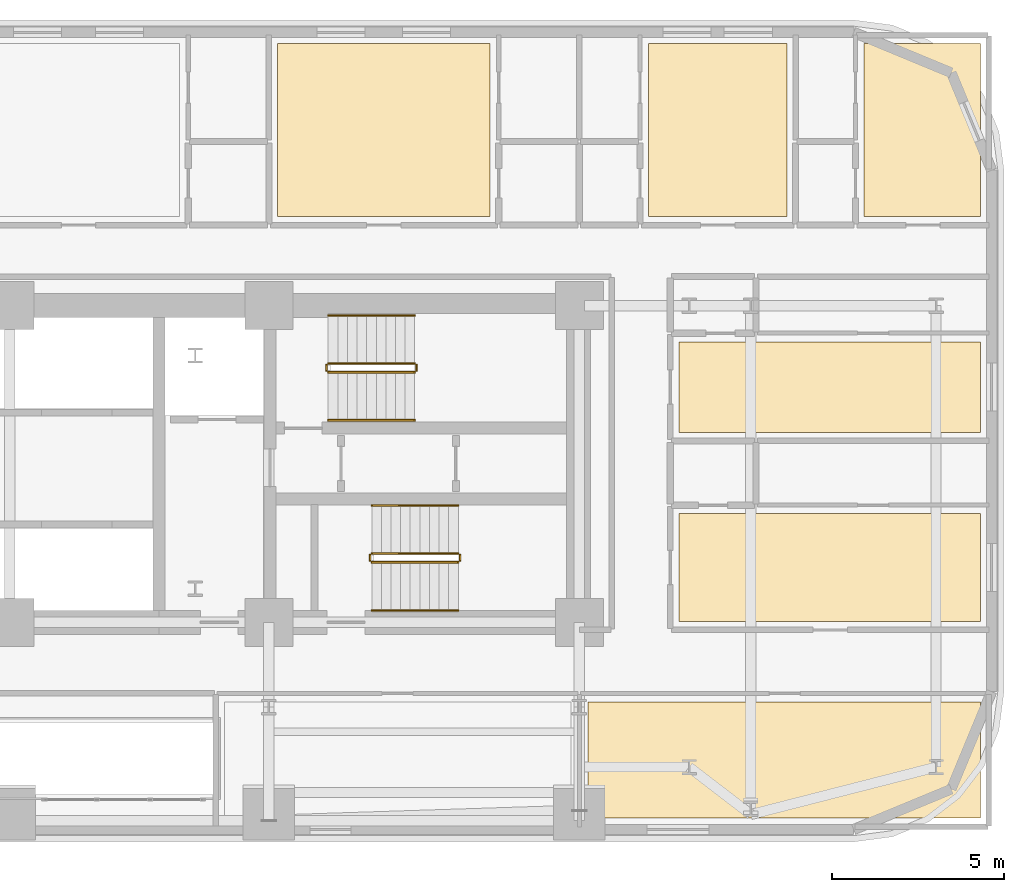
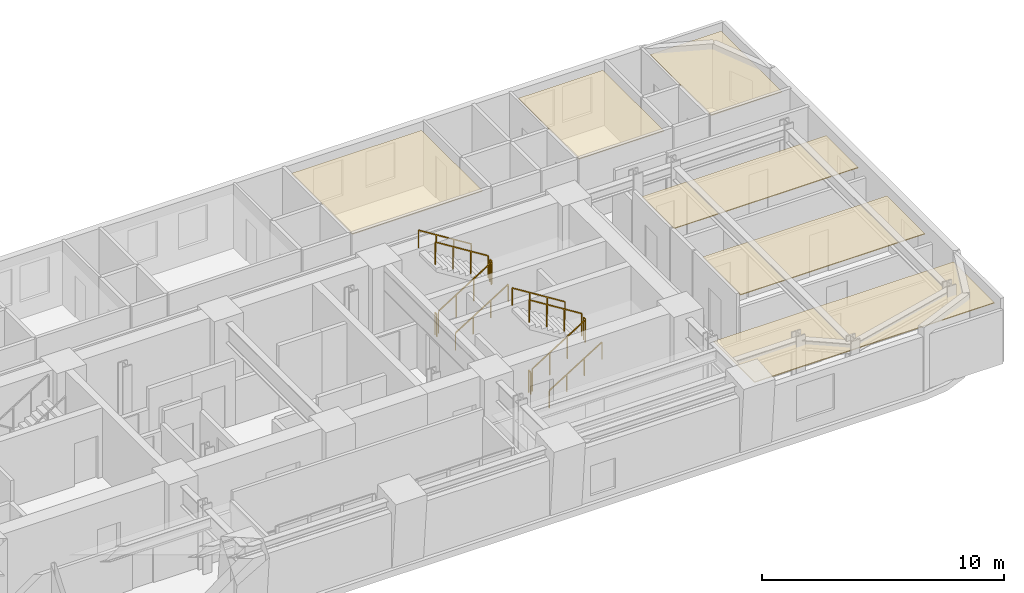
# One storey, part 15 of 15: 12 railings, 6 coverings.
"""IFC4 building model written with IfcOpenShell, lengths in metres."""

import ifcopenshell
import ifcopenshell.guid

model = None  # the IFC model being written
_history = None  # IfcOwnerHistory: only IFC2X3 demands one
_inside = {}  # id of a spatial element -> (the spatial element, [elements in it])
_under = {}  # id of a project, library or spatial element -> (it, [spatial elements below it])
_declared = {}  # id of a project -> (the project, [libraries it declares])
_typed = {}  # id of a type object -> (the type object, [elements of that type])
_made_of = {}  # id of a material, layer set ... -> (it, [elements and type objects made of it])


def new_model(schema):
    """Start an empty IFC model of exactly this schema.

    Asked for "IFC4X3", IfcOpenShell would pick the latest addendum, in which some entities
    have other attributes; the version numbers below select the first issue.
    IFC2X3 requires an IfcOwnerHistory on every rooted entity: one is made here for all.
    """
    global model, _history
    if schema == "IFC4X3":
        model = ifcopenshell.file(schema_version=(4, 3, 0, 0))
    else:
        model = ifcopenshell.file(schema=schema)
    _inside.clear()
    _under.clear()
    _declared.clear()
    _typed.clear()
    _made_of.clear()
    _history = None
    if model.schema == "IFC2X3":
        org = make("IfcOrganization", Name="unknown")
        user = make(
            "IfcPersonAndOrganization",
            ThePerson=make("IfcPerson", FamilyName="unknown"),
            TheOrganization=org,
        )
        app = make(
            "IfcApplication",
            ApplicationDeveloper=org,
            Version="unknown",
            ApplicationFullName="unknown",
            ApplicationIdentifier="unknown",
        )
        _history = make(
            "IfcOwnerHistory",
            OwningUser=user,
            OwningApplication=app,
            ChangeAction="ADDED",
            CreationDate=0,
        )
    return model


def make(cls, **values):
    """One entity of the class cls with the attributes given. An attribute that is None is left unset."""
    return model.create_entity(
        cls, **{name: value for name, value in values.items() if value is not None}
    )


def rooted(cls, **values):
    """An entity with a GlobalId (a new one), such as an element, a storey or a relation."""
    return make(cls, GlobalId=ifcopenshell.guid.new(), OwnerHistory=_history, **values)


def si_unit(unit_type, name, prefix=None):
    """IfcSIUnit, for example si_unit("LENGTHUNIT", "METRE", prefix="MILLI")."""
    return make("IfcSIUnit", UnitType=unit_type, Prefix=prefix, Name=name)


def assignment(units):
    """IfcUnitAssignment: the units of a project."""
    return None if units is None else make("IfcUnitAssignment", Units=units)


def point(xyz):
    """IfcCartesianPoint."""
    return None if xyz is None else make("IfcCartesianPoint", Coordinates=xyz)


def direction(xyz):
    """IfcDirection."""
    return None if xyz is None else make("IfcDirection", DirectionRatios=xyz)


def frame(location, z_axis=None, x_axis=None):
    """IfcAxis2Placement3D, a coordinate frame: its origin and axes. An axis left out is left unset."""
    return make(
        "IfcAxis2Placement3D",
        Location=point(location),
        Axis=direction(z_axis),
        RefDirection=direction(x_axis),
    )


def frame_2d(location, x_axis=None):
    """IfcAxis2Placement2D, a coordinate frame in the plane: its origin and x axis."""
    return make(
        "IfcAxis2Placement2D", Location=point(location), RefDirection=direction(x_axis)
    )


def origin():
    """The frame at (0, 0, 0) with its axes left unset."""
    return frame((0.0, 0.0, 0.0))


def origin_2d():
    """The frame at (0, 0) in the plane with its x axis left unset."""
    return frame_2d((0.0, 0.0))


def place(relative_to, where):
    """IfcLocalPlacement: puts the frame where relative to a parent placement (None: the world)."""
    return make(
        "IfcLocalPlacement", PlacementRelTo=relative_to, RelativePlacement=where
    )


def context(
    kind, dimensions, precision=None, world=None, true_north=None, identifier=None
):
    """IfcGeometricRepresentationContext, for example the 3D "Model" context."""
    return make(
        "IfcGeometricRepresentationContext",
        ContextIdentifier=identifier,
        ContextType=kind,
        CoordinateSpaceDimension=dimensions,
        Precision=precision,
        WorldCoordinateSystem=world,
        TrueNorth=true_north,
    )


def subcontext(parent, identifier, kind, view, scale=None):
    """IfcGeometricRepresentationSubContext, for example "Body" below "Model"."""
    return make(
        "IfcGeometricRepresentationSubContext",
        ContextIdentifier=identifier,
        ContextType=kind,
        ParentContext=parent,
        TargetScale=scale,
        TargetView=view,
    )


def project(units=None, contexts=None):
    """IfcProject with its units and contexts."""
    return rooted(
        "IfcProject",
        Name="project",
        RepresentationContexts=contexts,
        UnitsInContext=assignment(units),
    )


def spatial(cls, under=None, at=None, **own):
    """A site, building, storey or space (cls), placed at a placement, below another one or the project."""
    s = rooted(cls, ObjectPlacement=at, **own)
    if under is not None:
        _under.setdefault(under.id(), (under, []))[1].append(s)
    return s


def polyline(points):
    """IfcPolyline through the points."""
    return make("IfcPolyline", Points=[point(p) for p in points])


def profile(cls, at=None, kind="AREA", **sizes):
    """A parametric profile (cls). Its sizes go by their IFC names, for example OverallWidth=200.0."""
    return make(cls, ProfileType=kind, Position=at, **sizes)


def rectangle(**sizes):
    """IfcRectangleProfileDef."""
    return profile("IfcRectangleProfileDef", **sizes)


def outline(outer, holes=None, kind="AREA"):
    """IfcArbitraryClosedProfileDef: a profile drawn as a closed curve; with holes, ...WithVoids."""
    if holes is None:
        return make("IfcArbitraryClosedProfileDef", ProfileType=kind, OuterCurve=outer)
    return make(
        "IfcArbitraryProfileDefWithVoids",
        ProfileType=kind,
        OuterCurve=outer,
        InnerCurves=holes,
    )


def extrude(swept, where, along, depth):
    """IfcExtrudedAreaSolid: the profile swept, set in the frame where, extruded along a direction by depth."""
    return make(
        "IfcExtrudedAreaSolid",
        SweptArea=swept,
        Position=where,
        ExtrudedDirection=direction(along),
        Depth=depth,
    )


def shape(context_of_items, identifier, shape_type, items):
    """IfcShapeRepresentation: the items that make up one representation, for example the "Body"."""
    return make(
        "IfcShapeRepresentation",
        ContextOfItems=context_of_items,
        RepresentationIdentifier=identifier,
        RepresentationType=shape_type,
        Items=items,
    )


def material(Name=None, Category=None):
    """IfcMaterial."""
    return make("IfcMaterial", Name=Name, Category=Category)


def layer(
    of_material, thickness, ventilated=None, Name=None, Category=None, Priority=None
):
    """IfcMaterialLayer: one layer of a wall or slab, of a material (None: an air gap)."""
    return make(
        "IfcMaterialLayer",
        Material=of_material,
        LayerThickness=thickness,
        IsVentilated=ventilated,
        Name=Name,
        Category=Category,
        Priority=Priority,
    )


def layer_set(layers, Name=None):
    """IfcMaterialLayerSet."""
    return make("IfcMaterialLayerSet", MaterialLayers=layers, LayerSetName=Name)


def made_of(thing, what):
    """Note that an element or type object is made of a material, layer set ...; save() writes the relation."""
    if what is not None:
        _made_of.setdefault(what.id(), (what, []))[1].append(thing)
    return thing


def type_object(cls, material=None, **own):
    """A type object (cls), such as IfcWallType, which elements share."""
    return made_of(rooted(cls, **own), material)


def element(
    cls,
    number,
    at=None,
    inside=None,
    cuts=None,
    type_object=None,
    material=None,
    context=None,
    identifier="Body",
    shape_type=None,
    held_by="IfcProductDefinitionShape",
    body=None,
    shapes=None,
    **own,
):
    """One element of the class cls, such as IfcWall. Its Tag is "e" and its number.

    at: its placement. inside: the storey or other place that contains it. cuts: it is an
    opening in that element (IfcRelVoidsElement). A single representation is given by context,
    identifier, shape_type and body (its items); several are given by shapes. held_by: the class
    of the entity that holds the representations. save() writes the other relations.
    """
    e = rooted(cls, Tag="e%d" % number, ObjectPlacement=at, **own)
    if body is not None:
        shapes = [shape(context, identifier, shape_type, body)]
    if shapes is not None:
        e.Representation = make(held_by, Representations=shapes)
    if inside is not None:
        _inside.setdefault(inside.id(), (inside, []))[1].append(e)
    if cuts is not None:
        rooted(
            "IfcRelVoidsElement", RelatingBuildingElement=cuts, RelatedOpeningElement=e
        )
    if type_object is not None:
        _typed.setdefault(type_object.id(), (type_object, []))[1].append(e)
    return made_of(e, material)


def aggregate(whole, parts):
    """IfcRelAggregates: a whole, such as a stair, and the parts it consists of."""
    return rooted("IfcRelAggregates", RelatingObject=whole, RelatedObjects=parts)


def save(model, path):
    """Write the relations noted so far, then the file.

    IfcRelAggregates (storeys below a building ...), IfcRelContainedInSpatialStructure (elements
    in a storey), IfcRelDefinesByType, IfcRelAssociatesMaterial and IfcRelDeclares: one each for
    every whole, place, type object, material and project.
    """
    for whole, parts in _under.values():
        aggregate(whole, parts)
    for where, things in _inside.values():
        rooted(
            "IfcRelContainedInSpatialStructure",
            RelatedElements=things,
            RelatingStructure=where,
        )
    for kind, things in _typed.values():
        rooted("IfcRelDefinesByType", RelatedObjects=things, RelatingType=kind)
    for what, things in _made_of.values():
        rooted("IfcRelAssociatesMaterial", RelatedObjects=things, RelatingMaterial=what)
    for by, libraries in _declared.values():
        rooted("IfcRelDeclares", RelatingContext=by, RelatedDefinitions=libraries)
    model.write(path)


model = new_model("IFC4")

# Units and contexts
model_context = context("Model", 3, precision=1e-05, world=origin(), true_north=direction((0.0, 1.0)))
body_context = subcontext(model_context, "Body", "Model", "MODEL_VIEW")
ifc_project = project(units=[si_unit("LENGTHUNIT", "METRE"), si_unit("AREAUNIT", "SQUARE_METRE"), si_unit("VOLUMEUNIT", "CUBIC_METRE"), si_unit("PLANEANGLEUNIT", "RADIAN"), si_unit("MASSUNIT", "GRAM", prefix="KILO")], contexts=[model_context])

# Site, building, storey
site_placement = place(None, origin())
site = spatial("IfcSite", under=ifc_project, at=site_placement, CompositionType="ELEMENT")
building_placement = place(site_placement, origin())
building = spatial("IfcBuilding", under=site, at=building_placement, Name="Zarnavel Station Tower", CompositionType="ELEMENT")
storey_placement = place(building_placement, frame((0.0, 0.0, 43.0)))
storey = spatial("IfcBuildingStorey", under=building, at=storey_placement, Name="L11", CompositionType="ELEMENT", Elevation=43.0)

# Coverings
ifc_material_1 = material(Name="Perforated Gypsum and Mineral-Wool Acoustic Ceiling", Category="concrete")
ifc_layer = layer(ifc_material_1, 0.0400390625)
ifc_layer_set = layer_set([ifc_layer], Name="COV_CEIL_ACOUSTIC")
covering_type = type_object("IfcCoveringType", Name="COV_CEIL_ACOUSTIC", PredefinedType="CEILING", material=ifc_layer_set)
covering_1_placement = place(storey_placement, frame((0.0, 0.0, 2.919921875)))
element("IfcCovering", 1, at=covering_1_placement, inside=storey, type_object=covering_type, Name="L11 FNE1R Acoustic Ceiling", PredefinedType="CEILING", context=body_context, shape_type="SweptSolid", body=[
    extrude(outline(polyline([(48.300048828125, 27.85009765625), (57.090087890625, 27.85009765625), (57.090087890625, 30.986083984375), (48.300048828125, 30.986083984375), (48.300048828125, 27.85009765625)])), origin(), (0.0, 0.0, 1.0), 0.0400390625),
])
covering_2_placement = place(storey_placement, frame((0.0, 0.0, 2.919921875)))
element("IfcCovering", 2, at=covering_2_placement, inside=storey, type_object=covering_type, Name="L11 FNE2R Acoustic Ceiling", PredefinedType="CEILING", context=body_context, shape_type="SweptSolid", body=[
    extrude(outline(polyline([(48.300048828125, 33.35888671875), (57.090087890625, 33.35888671875), (57.090087890625, 36.0), (48.300048828125, 36.0), (48.300048828125, 33.35888671875)])), origin(), (0.0, 0.0, 1.0), 0.0400390625),
])
covering_3_placement = place(storey_placement, frame((0.0, 0.0, 2.919921875)))
element("IfcCovering", 3, at=covering_3_placement, inside=storey, type_object=covering_type, Name="L11 HN4R Acoustic Ceiling", PredefinedType="CEILING", context=body_context, shape_type="SweptSolid", body=[
    extrude(outline(polyline([(36.60009765625, 39.64990234375), (42.800048828125, 39.64990234375), (42.800048828125, 44.68994140625), (36.60009765625, 44.68994140625), (36.60009765625, 39.64990234375)])), origin(), (0.0, 0.0, 1.0), 0.0400390625),
])
covering_4_placement = place(storey_placement, frame((0.0, 0.0, 2.919921875)))
element("IfcCovering", 4, at=covering_4_placement, inside=storey, type_object=covering_type, Name="L11 HN5R Acoustic Ceiling", PredefinedType="CEILING", context=body_context, shape_type="SweptSolid", body=[
    extrude(outline(polyline([(47.4150390625, 39.64990234375), (51.4541015625, 39.64990234375), (51.4541015625, 44.68994140625), (47.4150390625, 44.68994140625), (47.4150390625, 39.64990234375)])), origin(), (0.0, 0.0, 1.0), 0.0400390625),
])
covering_5_placement = place(storey_placement, frame((0.0, 0.0, 2.919921875)))
element("IfcCovering", 5, at=covering_5_placement, inside=storey, type_object=covering_type, Name="L11 HN6R Acoustic Ceiling", PredefinedType="CEILING", context=body_context, shape_type="SweptSolid", body=[
    extrude(outline(polyline([(53.7041015625, 39.64990234375), (57.090087890625, 39.64990234375), (57.090087890625, 44.68994140625), (53.7041015625, 44.68994140625), (53.7041015625, 39.64990234375)])), origin(), (0.0, 0.0, 1.0), 0.0400390625),
])
covering_6_placement = place(storey_placement, frame((0.0, 0.0, 2.919921875)))
element("IfcCovering", 6, at=covering_6_placement, inside=storey, type_object=covering_type, Name="L11 Z1SYN Acoustic Ceiling", PredefinedType="CEILING", context=body_context, shape_type="SweptSolid", body=[
    extrude(outline(polyline([(45.64990234375, 22.110107421875), (57.090087890625, 22.110107421875), (57.090087890625, 25.5), (45.64990234375, 25.5), (45.64990234375, 22.110107421875)])), origin(), (0.0, 0.0, 1.0), 0.0400390625),
])

# Railings
ifc_material_2 = material(Name="Painted Steel S355J2 Balustrade", Category="steel")
railing_type_1 = type_object("IfcRailingType", Name="GR_INT_1150", PredefinedType="GUARDRAIL", material=ifc_material_2)
railing_1_placement = place(storey_placement, frame((38.080078125, 35.110107421875, 0.175048828125)))
element("IfcRailing", 7, at=railing_1_placement, inside=storey, type_object=railing_type_1, Name="L11 ST2 stair guard 1", PredefinedType="GUARDRAIL", context=body_context, shape_type="SweptSolid", body=[
    extrude(rectangle(XDim=0.048095703125, YDim=0.048095703125, at=origin_2d()), frame((0.001708984375, 0.0, 1.126953125), z_axis=(0.848007534815, 0.0, 0.529984170421), x_axis=(0.0, 1.0, 0.0)), (0.0, 0.0, 1.0), 2.9677734375),
    extrude(rectangle(XDim=0.0419921875, YDim=0.0419921875, at=origin_2d()), origin(), (0.0, 0.0, 1.0), 1.101806640625),
    extrude(rectangle(XDim=0.0419921875, YDim=0.0419921875, at=origin_2d()), frame((0.840087890625, 0.0, 0.52490234375)), (0.0, 0.0, 1.0), 1.101806640625),
    extrude(rectangle(XDim=0.0419921875, YDim=0.0419921875, at=origin_2d()), frame((1.679931640625, 0.0, 1.050048828125)), (0.0, 0.0, 1.0), 1.101806640625),
    extrude(rectangle(XDim=0.0419921875, YDim=0.0419921875, at=origin_2d()), frame((2.52001953125, 0.0, 1.574951171875)), (0.0, 0.0, 1.0), 1.101806640625),
])
railing_2_placement = place(storey_placement, frame((40.64990234375, 35.159912109375, 1.75)))
element("IfcRailing", 8, at=railing_2_placement, inside=storey, type_object=railing_type_1, Name="L11 ST2 stair guard 2", PredefinedType="GUARDRAIL", context=body_context, shape_type="SweptSolid", body=[
    extrude(rectangle(XDim=0.048095703125, YDim=0.048095703125, at=origin_2d()), frame((0.0, 0.001953125, 1.1259765625), z_axis=(0.0, 1.0, 0.0), x_axis=(-1.0, 0.0, 0.0)), (0.0, 0.0, 1.0), 0.15625),
    extrude(rectangle(XDim=0.0419921875, YDim=0.0419921875, at=origin_2d()), origin(), (0.0, 0.0, 1.0), 1.101806640625),
    extrude(rectangle(XDim=0.0419921875, YDim=0.0419921875, at=origin_2d()), frame((0.0, 0.16015625, 0.0)), (0.0, 0.0, 1.0), 1.101806640625),
])
railing_3_placement = place(storey_placement, frame((40.60009765625, 35.3701171875, 1.925048828125)))
element("IfcRailing", 9, at=railing_3_placement, inside=storey, type_object=railing_type_1, Name="L11 ST2 stair guard 3", PredefinedType="GUARDRAIL", context=body_context, shape_type="SweptSolid", body=[
    extrude(rectangle(XDim=0.048095703125, YDim=0.048095703125, at=origin_2d()), frame((-0.001708984375, 0.0, 1.126953125), z_axis=(-0.848007534815, 0.0, 0.529984170421), x_axis=(0.0, -1.0, 0.0)), (0.0, 0.0, 1.0), 2.9677734375),
    extrude(rectangle(XDim=0.0419921875, YDim=0.0419921875, at=origin_2d()), origin(), (0.0, 0.0, 1.0), 1.101806640625),
    extrude(rectangle(XDim=0.0419921875, YDim=0.0419921875, at=origin_2d()), frame((-0.840087890625, 0.0, 0.52490234375)), (0.0, 0.0, 1.0), 1.101806640625),
    extrude(rectangle(XDim=0.0419921875, YDim=0.0419921875, at=origin_2d()), frame((-1.679931640625, 0.0, 1.050048828125)), (0.0, 0.0, 1.0), 1.101806640625),
    extrude(rectangle(XDim=0.0419921875, YDim=0.0419921875, at=origin_2d()), frame((-2.52001953125, 0.0, 1.574951171875)), (0.0, 0.0, 1.0), 1.101806640625),
])
railing_4_placement = place(storey_placement, frame((38.030029296875, 35.159912109375, 0.0)))
element("IfcRailing", 10, at=railing_4_placement, inside=storey, type_object=railing_type_1, Name="L11 ST2 stair guard 4", PredefinedType="GUARDRAIL", context=body_context, shape_type="SweptSolid", body=[
    extrude(rectangle(XDim=0.048095703125, YDim=0.048095703125, at=origin_2d()), frame((0.0, 0.001953125, 1.1259765625), z_axis=(0.0, 1.0, 0.0), x_axis=(-1.0, 0.0, 0.0)), (0.0, 0.0, 1.0), 0.15625),
    extrude(rectangle(XDim=0.0419921875, YDim=0.0419921875, at=origin_2d()), origin(), (0.0, 0.0, 1.0), 1.101806640625),
    extrude(rectangle(XDim=0.0419921875, YDim=0.0419921875, at=origin_2d()), frame((0.0, 0.16015625, 0.0)), (0.0, 0.0, 1.0), 1.101806640625),
])
railing_5_placement = place(storey_placement, frame((39.35009765625, 29.570068359375, 0.175048828125)))
element("IfcRailing", 11, at=railing_5_placement, inside=storey, type_object=railing_type_1, Name="L11 ST3 stair guard 1", PredefinedType="GUARDRAIL", context=body_context, shape_type="SweptSolid", body=[
    extrude(rectangle(XDim=0.048095703125, YDim=0.048095703125, at=origin_2d()), frame((0.001708984375, 0.0, 1.126953125), z_axis=(0.848007534815, 0.0, 0.529984170421), x_axis=(0.0, 1.0, 0.0)), (0.0, 0.0, 1.0), 2.9677734375),
    extrude(rectangle(XDim=0.0419921875, YDim=0.0419921875, at=origin_2d()), origin(), (0.0, 0.0, 1.0), 1.101806640625),
    extrude(rectangle(XDim=0.0419921875, YDim=0.0419921875, at=origin_2d()), frame((0.840087890625, 0.0, 0.52490234375)), (0.0, 0.0, 1.0), 1.101806640625),
    extrude(rectangle(XDim=0.0419921875, YDim=0.0419921875, at=origin_2d()), frame((1.679931640625, 0.0, 1.050048828125)), (0.0, 0.0, 1.0), 1.101806640625),
    extrude(rectangle(XDim=0.0419921875, YDim=0.0419921875, at=origin_2d()), frame((2.52001953125, 0.0, 1.574951171875)), (0.0, 0.0, 1.0), 1.101806640625),
])
railing_6_placement = place(storey_placement, frame((41.919921875, 29.6201171875, 1.75)))
element("IfcRailing", 12, at=railing_6_placement, inside=storey, type_object=railing_type_1, Name="L11 ST3 stair guard 2", PredefinedType="GUARDRAIL", context=body_context, shape_type="SweptSolid", body=[
    extrude(rectangle(XDim=0.048095703125, YDim=0.048095703125, at=origin_2d()), frame((0.0, 0.001953125, 1.1259765625), z_axis=(0.0, 1.0, 0.0), x_axis=(-1.0, 0.0, 0.0)), (0.0, 0.0, 1.0), 0.156005859375),
    extrude(rectangle(XDim=0.0419921875, YDim=0.0419921875, at=origin_2d()), origin(), (0.0, 0.0, 1.0), 1.101806640625),
    extrude(rectangle(XDim=0.0419921875, YDim=0.0419921875, at=origin_2d()), frame((0.0, 0.159912109375, 0.0)), (0.0, 0.0, 1.0), 1.101806640625),
])
railing_7_placement = place(storey_placement, frame((41.8701171875, 29.830078125, 1.925048828125)))
element("IfcRailing", 13, at=railing_7_placement, inside=storey, type_object=railing_type_1, Name="L11 ST3 stair guard 3", PredefinedType="GUARDRAIL", context=body_context, shape_type="SweptSolid", body=[
    extrude(rectangle(XDim=0.048095703125, YDim=0.048095703125, at=origin_2d()), frame((-0.001708984375, 0.0, 1.126953125), z_axis=(-0.848007534815, 0.0, 0.529984170421), x_axis=(0.0, -1.0, 0.0)), (0.0, 0.0, 1.0), 2.9677734375),
    extrude(rectangle(XDim=0.0419921875, YDim=0.0419921875, at=origin_2d()), origin(), (0.0, 0.0, 1.0), 1.101806640625),
    extrude(rectangle(XDim=0.0419921875, YDim=0.0419921875, at=origin_2d()), frame((-0.840087890625, 0.0, 0.52490234375)), (0.0, 0.0, 1.0), 1.101806640625),
    extrude(rectangle(XDim=0.0419921875, YDim=0.0419921875, at=origin_2d()), frame((-1.679931640625, 0.0, 1.050048828125)), (0.0, 0.0, 1.0), 1.101806640625),
    extrude(rectangle(XDim=0.0419921875, YDim=0.0419921875, at=origin_2d()), frame((-2.52001953125, 0.0, 1.574951171875)), (0.0, 0.0, 1.0), 1.101806640625),
])
railing_8_placement = place(storey_placement, frame((39.300048828125, 29.6201171875, 0.0)))
element("IfcRailing", 14, at=railing_8_placement, inside=storey, type_object=railing_type_1, Name="L11 ST3 stair guard 4", PredefinedType="GUARDRAIL", context=body_context, shape_type="SweptSolid", body=[
    extrude(rectangle(XDim=0.048095703125, YDim=0.048095703125, at=origin_2d()), frame((0.0, 0.001953125, 1.1259765625), z_axis=(0.0, 1.0, 0.0), x_axis=(-1.0, 0.0, 0.0)), (0.0, 0.0, 1.0), 0.156005859375),
    extrude(rectangle(XDim=0.0419921875, YDim=0.0419921875, at=origin_2d()), origin(), (0.0, 0.0, 1.0), 1.101806640625),
    extrude(rectangle(XDim=0.0419921875, YDim=0.0419921875, at=origin_2d()), frame((0.0, 0.159912109375, 0.0)), (0.0, 0.0, 1.0), 1.101806640625),
])
ifc_material_3 = material(Name="Brushed Stainless Steel S355J2 Handrail", Category="steel")
railing_type_2 = type_object("IfcRailingType", Name="HR_STAIR_900", PredefinedType="HANDRAIL", material=ifc_material_3)
railing_9_placement = place(storey_placement, frame((38.080078125, 33.7099609375, 0.175048828125)))
element("IfcRailing", 15, at=railing_9_placement, inside=storey, type_object=railing_type_2, Name="L11 ST2 stair handrail 1", PredefinedType="HANDRAIL", context=body_context, shape_type="SweptSolid", body=[
    extrude(rectangle(XDim=0.048095703125, YDim=0.048095703125, at=origin_2d()), frame((0.001708984375, 0.0, 0.876953125), z_axis=(0.848007534815, 0.0, 0.529984170421), x_axis=(0.0, 1.0, 0.0)), (0.0, 0.0, 1.0), 2.9677734375),
    extrude(rectangle(XDim=0.0419921875, YDim=0.0419921875, at=origin_2d()), origin(), (0.0, 0.0, 1.0), 0.851806640625),
    extrude(rectangle(XDim=0.0419921875, YDim=0.0419921875, at=origin_2d()), frame((0.840087890625, 0.0, 0.52490234375)), (0.0, 0.0, 1.0), 0.851806640625),
    extrude(rectangle(XDim=0.0419921875, YDim=0.0419921875, at=origin_2d()), frame((1.679931640625, 0.0, 1.050048828125)), (0.0, 0.0, 1.0), 0.851806640625),
    extrude(rectangle(XDim=0.0419921875, YDim=0.0419921875, at=origin_2d()), frame((2.52001953125, 0.0, 1.574951171875)), (0.0, 0.0, 1.0), 0.851806640625),
])
railing_10_placement = place(storey_placement, frame((40.60009765625, 36.77001953125, 1.925048828125)))
element("IfcRailing", 16, at=railing_10_placement, inside=storey, type_object=railing_type_2, Name="L11 ST2 stair handrail 2", PredefinedType="HANDRAIL", context=body_context, shape_type="SweptSolid", body=[
    extrude(rectangle(XDim=0.048095703125, YDim=0.048095703125, at=origin_2d()), frame((-0.001708984375, 0.0, 0.876953125), z_axis=(-0.848007534815, 0.0, 0.529984170421), x_axis=(0.0, -1.0, 0.0)), (0.0, 0.0, 1.0), 2.9677734375),
    extrude(rectangle(XDim=0.0419921875, YDim=0.0419921875, at=origin_2d()), origin(), (0.0, 0.0, 1.0), 0.851806640625),
    extrude(rectangle(XDim=0.0419921875, YDim=0.0419921875, at=origin_2d()), frame((-0.840087890625, 0.0, 0.52490234375)), (0.0, 0.0, 1.0), 0.851806640625),
    extrude(rectangle(XDim=0.0419921875, YDim=0.0419921875, at=origin_2d()), frame((-1.679931640625, 0.0, 1.050048828125)), (0.0, 0.0, 1.0), 0.851806640625),
    extrude(rectangle(XDim=0.0419921875, YDim=0.0419921875, at=origin_2d()), frame((-2.52001953125, 0.0, 1.574951171875)), (0.0, 0.0, 1.0), 0.851806640625),
])
railing_11_placement = place(storey_placement, frame((39.35009765625, 28.169921875, 0.175048828125)))
element("IfcRailing", 17, at=railing_11_placement, inside=storey, type_object=railing_type_2, Name="L11 ST3 stair handrail 1", PredefinedType="HANDRAIL", context=body_context, shape_type="SweptSolid", body=[
    extrude(rectangle(XDim=0.048095703125, YDim=0.048095703125, at=origin_2d()), frame((0.001708984375, 0.0, 0.876953125), z_axis=(0.848007534815, 0.0, 0.529984170421), x_axis=(0.0, 1.0, 0.0)), (0.0, 0.0, 1.0), 2.9677734375),
    extrude(rectangle(XDim=0.0419921875, YDim=0.0419921875, at=origin_2d()), origin(), (0.0, 0.0, 1.0), 0.851806640625),
    extrude(rectangle(XDim=0.0419921875, YDim=0.0419921875, at=origin_2d()), frame((0.840087890625, 0.0, 0.52490234375)), (0.0, 0.0, 1.0), 0.851806640625),
    extrude(rectangle(XDim=0.0419921875, YDim=0.0419921875, at=origin_2d()), frame((1.679931640625, 0.0, 1.050048828125)), (0.0, 0.0, 1.0), 0.851806640625),
    extrude(rectangle(XDim=0.0419921875, YDim=0.0419921875, at=origin_2d()), frame((2.52001953125, 0.0, 1.574951171875)), (0.0, 0.0, 1.0), 0.851806640625),
])
railing_12_placement = place(storey_placement, frame((41.8701171875, 31.22998046875, 1.925048828125)))
element("IfcRailing", 18, at=railing_12_placement, inside=storey, type_object=railing_type_2, Name="L11 ST3 stair handrail 2", PredefinedType="HANDRAIL", context=body_context, shape_type="SweptSolid", body=[
    extrude(rectangle(XDim=0.048095703125, YDim=0.048095703125, at=origin_2d()), frame((-0.001708984375, 0.0, 0.876953125), z_axis=(-0.848007534815, 0.0, 0.529984170421), x_axis=(0.0, -1.0, 0.0)), (0.0, 0.0, 1.0), 2.9677734375),
    extrude(rectangle(XDim=0.0419921875, YDim=0.0419921875, at=origin_2d()), origin(), (0.0, 0.0, 1.0), 0.851806640625),
    extrude(rectangle(XDim=0.0419921875, YDim=0.0419921875, at=origin_2d()), frame((-0.840087890625, 0.0, 0.52490234375)), (0.0, 0.0, 1.0), 0.851806640625),
    extrude(rectangle(XDim=0.0419921875, YDim=0.0419921875, at=origin_2d()), frame((-1.679931640625, 0.0, 1.050048828125)), (0.0, 0.0, 1.0), 0.851806640625),
    extrude(rectangle(XDim=0.0419921875, YDim=0.0419921875, at=origin_2d()), frame((-2.52001953125, 0.0, 1.574951171875)), (0.0, 0.0, 1.0), 0.851806640625),
])

save(model, "model.ifc")
